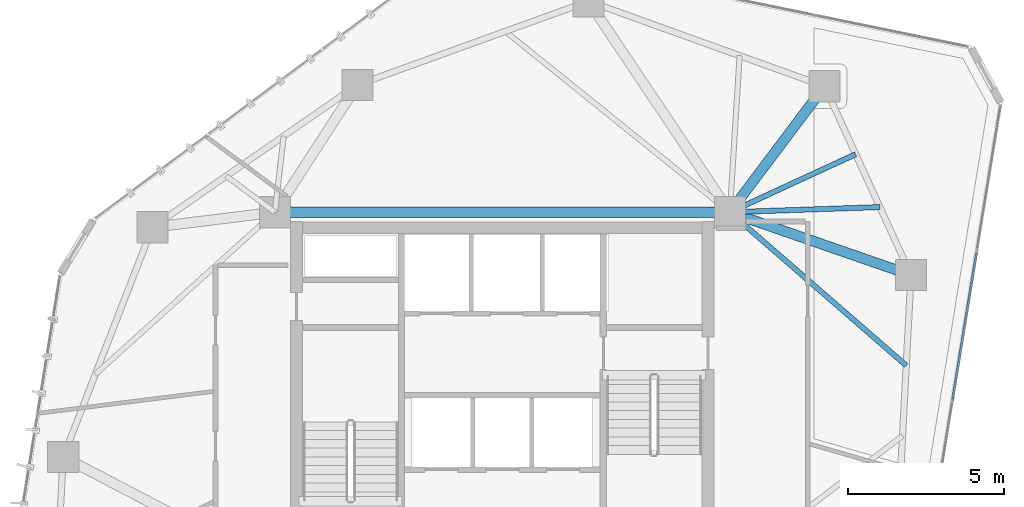
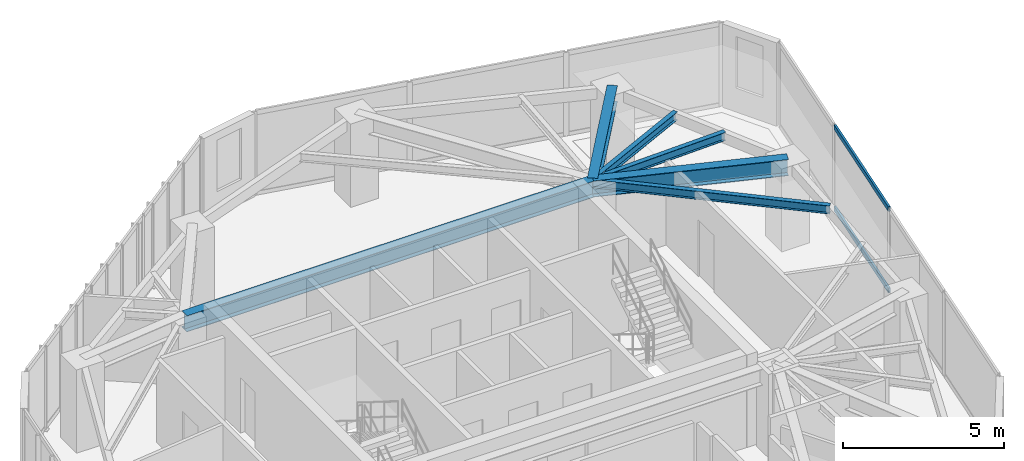
# One storey, part 11 of 20: 6 beams, 2 members, 1 element without a shape of its own.
"""IFC4 building model written with IfcOpenShell, lengths in metres."""

from ifc_helpers import new_model, si_unit, direction, frame, origin, origin_2d, place, context, subcontext, project, spatial, hollow_rectangle, i_section, extrude, source, transform, mapped, material, layer, layer_set, material_profile, profile_set, type_object, type_shapes, element, aggregate, save


model = new_model("IFC4")

# Units and contexts
model_context = context("Model", 3, precision=1e-05, world=origin(), true_north=direction((0.0, 1.0)))
body_context = subcontext(model_context, "Body", "Model", "MODEL_VIEW")
ifc_project = project(units=[si_unit("LENGTHUNIT", "METRE"), si_unit("AREAUNIT", "SQUARE_METRE"), si_unit("VOLUMEUNIT", "CUBIC_METRE"), si_unit("PLANEANGLEUNIT", "RADIAN"), si_unit("MASSUNIT", "GRAM", prefix="KILO")], contexts=[model_context])

# Site, building, storey
site_placement = place(None, origin())
site = spatial("IfcSite", under=ifc_project, at=site_placement, CompositionType="ELEMENT")
building_placement = place(site_placement, origin())
building = spatial("IfcBuilding", under=site, at=building_placement, Name="Talar Marvaseh", CompositionType="ELEMENT")
storey_placement = place(building_placement, frame((0.0, 0.0, 198.5)))
storey = spatial("IfcBuildingStorey", under=building, at=storey_placement, Name="L52", CompositionType="ELEMENT", Elevation=198.5)

# Beams
ifc_material_1 = material(Name="Steel S355", Category="steel")
ifc_material_profile_1 = material_profile(ifc_material_1, i_section(OverallWidth=0.324951171875, OverallDepth=0.615966796875, WebThickness=0.013916015625, FlangeThickness=0.021484375, at=origin_2d()), Name="W610x174")
ifc_profile_set_1 = profile_set([ifc_material_profile_1], Name="Steel S355")
beam_type_1 = type_object("IfcBeamType", Name="Zone 3 Radial Floor Girder W610x174", PredefinedType="BEAM", material=ifc_profile_set_1)
beam_1_placement = place(storey_placement, frame((18.699951171875, 36.89990234375, 2.842041015625), z_axis=(1.0, 0.0, 0.0), x_axis=(0.0, 1.0, 0.0)))
element("IfcBeam", 1, at=beam_1_placement, inside=storey, type_object=beam_type_1, Name="L52 Zone 3 Radial Floor Girder W610x174", PredefinedType="BEAM", context=body_context, shape_type="SweptSolid", body=[
    extrude(i_section(OverallWidth=0.324951171875, OverallDepth=0.615966796875, WebThickness=0.013916015625, FlangeThickness=0.021484375, at=origin_2d()), origin(), (0.0, 0.0, 1.0), 14.60009765625),
])
beam_2_placement = place(storey_placement, frame((36.341064453125, 40.94189453125, 2.842041015625), z_axis=(-0.601204044541, -0.799095549247, 0.0), x_axis=(0.799095549247, -0.601204044541, 0.0)))
element("IfcBeam", 2, at=beam_2_placement, inside=storey, type_object=beam_type_1, Name="L52 Zone 3 Radial Floor Girder W610x174", PredefinedType="BEAM", context=body_context, shape_type="SweptSolid", body=[
    extrude(i_section(OverallWidth=0.324951171875, OverallDepth=0.615966796875, WebThickness=0.013916015625, FlangeThickness=0.021484375, at=origin_2d()), origin(), (0.0, 0.0, 1.0), 5.05810546875),
])
beam_3_placement = place(storey_placement, frame((39.113037109375, 34.884033203125, 2.842041015625), z_axis=(-0.94480098975, 0.327644761544, 0.0), x_axis=(-0.327644761544, -0.94480098975, 0.0)))
element("IfcBeam", 3, at=beam_3_placement, inside=storey, type_object=beam_type_1, Name="L52 Zone 3 Radial Floor Girder W610x174", PredefinedType="BEAM", context=body_context, shape_type="SweptSolid", body=[
    extrude(i_section(OverallWidth=0.324951171875, OverallDepth=0.615966796875, WebThickness=0.013916015625, FlangeThickness=0.021484375, at=origin_2d()), origin(), (0.0, 0.0, 1.0), 6.152587890625),
])
ifc_material_profile_2 = material_profile(ifc_material_1, i_section(OverallWidth=0.166015625, OverallDepth=0.31298828125, WebThickness=0.006591796875, FlangeThickness=0.01123046875, at=origin_2d()), Name="W310x45")
ifc_profile_set_2 = profile_set([ifc_material_profile_2], Name="Steel S355")
beam_type_2 = type_object("IfcBeamType", Name="Zone 3 Secondary Floor Joist W310x45", PredefinedType="JOIST", material=ifc_profile_set_2)
beam_4_placement = place(storey_placement, frame((37.3388671875, 38.760986328125, 2.993408203125), z_axis=(-0.908214702737, -0.418504544458, 0.0), x_axis=(0.418504544458, -0.908214702737, 0.0)))
element("IfcBeam", 4, at=beam_4_placement, inside=storey, type_object=beam_type_2, Name="L52 Zone 3 Secondary Floor Joist W310x45", PredefinedType="JOIST", context=body_context, shape_type="SweptSolid", body=[
    extrude(i_section(OverallWidth=0.166015625, OverallDepth=0.31298828125, WebThickness=0.006591796875, FlangeThickness=0.01123046875, at=origin_2d()), origin(), (0.0, 0.0, 1.0), 4.447021484375),
])
beam_5_placement = place(storey_placement, frame((38.114990234375, 37.06494140625, 2.993408203125), z_axis=(-0.999413079861, -0.034256325017, 0.0), x_axis=(0.034256325017, -0.999413079861, 0.0)))
element("IfcBeam", 5, at=beam_5_placement, inside=storey, type_object=beam_type_2, Name="L52 Zone 3 Secondary Floor Joist W310x45", PredefinedType="JOIST", context=body_context, shape_type="SweptSolid", body=[
    extrude(i_section(OverallWidth=0.166015625, OverallDepth=0.31298828125, WebThickness=0.006591796875, FlangeThickness=0.01123046875, at=origin_2d()), origin(), (0.0, 0.0, 1.0), 4.81787109375),
])
beam_6_placement = place(storey_placement, frame((38.96044921875, 31.982421875, 2.993408203125), z_axis=(-0.754909663958, 0.655828788071, 0.0), x_axis=(-0.655828788071, -0.754909663958, 0.0)))
element("IfcBeam", 6, at=beam_6_placement, inside=storey, type_object=beam_type_2, Name="L52 Zone 3 Secondary Floor Joist W310x45", PredefinedType="JOIST", context=body_context, shape_type="SweptSolid", body=[
    extrude(i_section(OverallWidth=0.166015625, OverallDepth=0.31298828125, WebThickness=0.006591796875, FlangeThickness=0.01123046875, at=origin_2d()), origin(), (0.0, 0.0, 1.0), 7.498046875),
])

# Curtain wall, members
ifc_material_2 = material(Name="Architectural Aluminium", Category="aluminium")
ifc_layer = layer(ifc_material_2, 0.18994140625)
ifc_layer_set = layer_set([ifc_layer], Name="Architectural Aluminium")
curtain_wall_type = type_object("IfcCurtainWallType", Name="Unitised Solar Atelier Curtain Wall Z3", PredefinedType="NOTDEFINED", material=ifc_layer_set)
curtain_wall_placement = place(storey_placement, origin())
curtain_wall = element("IfcCurtainWall", 7, at=curtain_wall_placement, inside=storey, type_object=curtain_wall_type, Name="L52 Unitised Solar Atelier Curtain Wall Z3", PredefinedType="NOTDEFINED")
ifc_material_profile_3 = material_profile(ifc_material_2, hollow_rectangle(XDim=0.074951171875, YDim=0.179931640625, WallThickness=0.0048828125, at=origin_2d()), Name="RHS180x75x5")
ifc_profile_set_3 = profile_set([ifc_material_profile_3], Name="Architectural Aluminium")
member_type = type_object("IfcMemberType", Name="Unitised Curtain Wall Transom RHS180x75x5", PredefinedType="USERDEFINED", material=ifc_profile_set_3)
shared_shape = source(origin(), body_context, "Body", "SweptSolid", [
    extrude(hollow_rectangle(XDim=0.074951171875, YDim=0.179931640625, WallThickness=0.0048828125, at=origin_2d()), origin(), (0.0, 0.0, 1.0), 4.7470703125),
])
type_shapes(member_type, [shared_shape])
member_1_placement = place(storey_placement, frame((41.216796875, 35.58837890625, 0.03759765625), z_axis=(-0.160870178654, -0.986975574986, 0.0), x_axis=(0.986975574986, -0.160870178654, 0.0)))
member_1 = element("IfcMember", 8, at=member_1_placement, type_object=member_type, Name="CW-Z3 transom 2.1", ObjectType="TRANSOM", PredefinedType="USERDEFINED", context=body_context, shape_type="MappedRepresentation", body=[
    mapped(shared_shape, transform((0.0, 0.0, 0.0), x_axis=(1.0, 0.0, 0.0), y_axis=(0.0, 1.0, 0.0), z_axis=(0.0, 0.0, 1.0), scale=1.0)),
])
member_2_placement = place(storey_placement, frame((41.216796875, 35.58837890625, 3.112548828125), z_axis=(-0.160870178654, -0.986975574986, 0.0), x_axis=(0.986975574986, -0.160870178654, 0.0)))
member_2 = element("IfcMember", 9, at=member_2_placement, type_object=member_type, Name="CW-Z3 transom 2.2", ObjectType="TRANSOM", PredefinedType="USERDEFINED", context=body_context, shape_type="MappedRepresentation", body=[
    mapped(shared_shape, transform((0.0, 0.0, 0.0), x_axis=(1.0, 0.0, 0.0), y_axis=(0.0, 1.0, 0.0), z_axis=(0.0, 0.0, 1.0), scale=1.0)),
])
aggregate(curtain_wall, [member_1, member_2])

save(model, "model.ifc")
